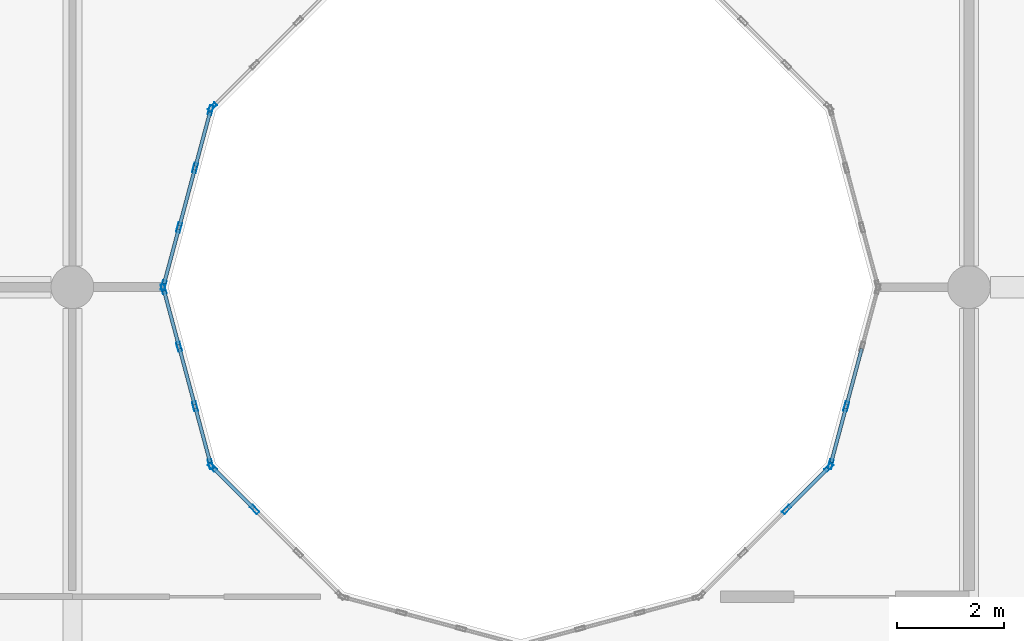
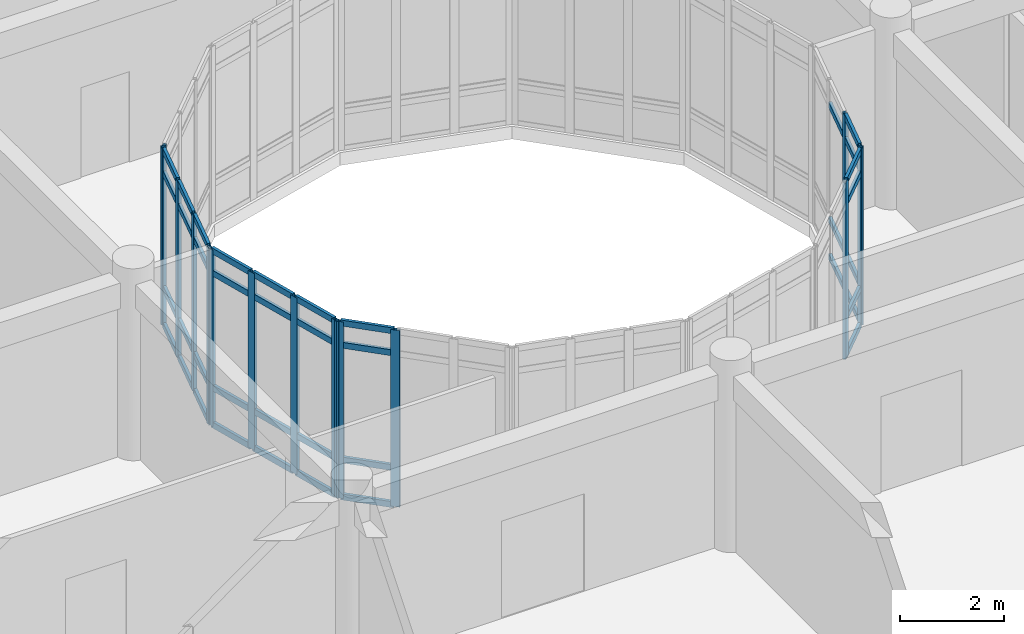
# One storey, part 34 of 144: 54 members, 6 elements without a shape of their own.
"""IFC4 building model written with IfcOpenShell, lengths in metres."""

from ifc_helpers import new_model, si_unit, direction, frame, origin, origin_2d, place, context, subcontext, project, spatial, hollow_rectangle, extrude, material, layer, layer_set, material_profile, profile_set, type_object, element, aggregate, save


model = new_model("IFC4")

# Units and contexts
model_context = context("Model", 3, precision=1e-05, world=origin(), true_north=direction((0.0, 1.0)))
body_context = subcontext(model_context, "Body", "Model", "MODEL_VIEW")
ifc_project = project(units=[si_unit("LENGTHUNIT", "METRE"), si_unit("AREAUNIT", "SQUARE_METRE"), si_unit("VOLUMEUNIT", "CUBIC_METRE"), si_unit("PLANEANGLEUNIT", "RADIAN"), si_unit("MASSUNIT", "GRAM", prefix="KILO")], contexts=[model_context])

# Site, building, storey
site_placement = place(None, origin())
site = spatial("IfcSite", under=ifc_project, at=site_placement, CompositionType="ELEMENT")
building_placement = place(site_placement, origin())
building = spatial("IfcBuilding", under=site, at=building_placement, Name="Bramfleet General Hospital", CompositionType="ELEMENT")
storey_placement = place(building_placement, frame((0.0, 0.0, 4.800048828125)))
storey = spatial("IfcBuildingStorey", under=building, at=storey_placement, Name="L01", CompositionType="ELEMENT", Elevation=4.800048828125)

# Curtain wall, members
ifc_material_1 = material(Name="Anodised aluminium and low-E triple glazing", Category="aluminium")
ifc_layer_1 = layer(ifc_material_1, 0.179931640625, Name="CWT-CW-17")
ifc_layer_set_1 = layer_set([ifc_layer_1], Name="Anodised aluminium and low-E triple glazing")
curtain_wall_type_1 = type_object("IfcCurtainWallType", Name="CWT-CW-17", PredefinedType="USERDEFINED", material=ifc_layer_set_1)
curtain_wall_1_placement = place(storey_placement, origin())
curtain_wall_1 = element("IfcCurtainWall", 1, at=curtain_wall_1_placement, inside=storey, type_object=curtain_wall_type_1, Name="L01 West Clinical Light Court Curtain Wall 1.1", ObjectType="Stick curtain wall", PredefinedType="USERDEFINED")
ifc_material_2 = material(Name="Anodised aluminium EN AW-6060", Category="aluminium")
ifc_material_profile_1 = material_profile(ifc_material_2, hollow_rectangle(XDim=0.070068359375, YDim=0.179931640625, WallThickness=0.00390625, at=origin_2d()), Name="ALU 180x70x4.0")
ifc_profile_set_1 = profile_set([ifc_material_profile_1], Name="Anodised aluminium EN AW-6060")
member_type_1 = type_object("IfcMemberType", Name="CWM-ALU180", PredefinedType="MULLION", material=ifc_profile_set_1)
member_1_placement = place(storey_placement, frame((18.509033203125, 83.96630859375, 0.0), z_axis=(0.0, 0.0, 1.0), x_axis=(0.965899136003, 0.25891863407, 0.0)))
member_1 = element("IfcMember", 2, at=member_1_placement, type_object=member_type_1, Name="CW-17 mullion 1", PredefinedType="MULLION", context=body_context, shape_type="SweptSolid", body=[
    extrude(hollow_rectangle(XDim=0.070068359375, YDim=0.179931640625, WallThickness=0.00390625, at=origin_2d()), origin(), (0.0, 0.0, 1.0), 4.139892578125),
])
member_2_placement = place(storey_placement, frame((18.79931640625, 82.88330078125, 0.0), z_axis=(0.0, 0.0, 1.0), x_axis=(0.965899136003, 0.25891863407, 0.0)))
member_2 = element("IfcMember", 3, at=member_2_placement, type_object=member_type_1, Name="CW-17 mullion 2", PredefinedType="MULLION", context=body_context, shape_type="SweptSolid", body=[
    extrude(hollow_rectangle(XDim=0.070068359375, YDim=0.179931640625, WallThickness=0.00390625, at=origin_2d()), origin(), (0.0, 0.0, 1.0), 4.139892578125),
])
member_3_placement = place(storey_placement, frame((19.0986328125, 81.7666015625, 0.0), z_axis=(0.0, 0.0, 1.0), x_axis=(0.965899136003, 0.25891863407, 0.0)))
member_3 = element("IfcMember", 4, at=member_3_placement, type_object=member_type_1, Name="CW-17 mullion 3", PredefinedType="MULLION", context=body_context, shape_type="SweptSolid", body=[
    extrude(hollow_rectangle(XDim=0.070068359375, YDim=0.179931640625, WallThickness=0.00390625, at=origin_2d()), origin(), (0.0, 0.0, 1.0), 4.139892578125),
])
member_4_placement = place(storey_placement, frame((19.388916015625, 80.683837890625, 0.0), z_axis=(0.0, 0.0, 1.0), x_axis=(0.965899136003, 0.25891863407, 0.0)))
member_4 = element("IfcMember", 5, at=member_4_placement, type_object=member_type_1, Name="CW-17 mullion 4", PredefinedType="MULLION", context=body_context, shape_type="SweptSolid", body=[
    extrude(hollow_rectangle(XDim=0.070068359375, YDim=0.179931640625, WallThickness=0.00390625, at=origin_2d()), origin(), (0.0, 0.0, 1.0), 4.139892578125),
])

ifc_layer_2 = layer(ifc_material_1, 0.179931640625, Name="CWT-CW-18")
ifc_layer_set_2 = layer_set([ifc_layer_2], Name="Anodised aluminium and low-E triple glazing")
curtain_wall_type_2 = type_object("IfcCurtainWallType", Name="CWT-CW-18", PredefinedType="USERDEFINED", material=ifc_layer_set_2)
curtain_wall_2_placement = place(storey_placement, origin())
curtain_wall_2 = element("IfcCurtainWall", 6, at=curtain_wall_2_placement, inside=storey, type_object=curtain_wall_type_2, Name="L01 West Clinical Light Court Curtain Wall 2.1", ObjectType="Stick curtain wall", PredefinedType="USERDEFINED")
member_5_placement = place(storey_placement, frame((19.4228515625, 80.625244140625, 0.0), z_axis=(0.0, 0.0, 1.0), x_axis=(0.707106781187, 0.707106781187, 0.0)))
member_5 = element("IfcMember", 7, at=member_5_placement, type_object=member_type_1, Name="CW-18 mullion 1", PredefinedType="MULLION", context=body_context, shape_type="SweptSolid", body=[
    extrude(hollow_rectangle(XDim=0.070068359375, YDim=0.179931640625, WallThickness=0.00390625, at=origin_2d()), origin(), (0.0, 0.0, 1.0), 4.139892578125),
])
member_6_placement = place(storey_placement, frame((20.21533203125, 79.832763671875, 0.0), z_axis=(0.0, 0.0, 1.0), x_axis=(0.707106781187, 0.707106781187, 0.0)))
member_6 = element("IfcMember", 8, at=member_6_placement, type_object=member_type_1, Name="CW-18 mullion 2", PredefinedType="MULLION", context=body_context, shape_type="SweptSolid", body=[
    extrude(hollow_rectangle(XDim=0.070068359375, YDim=0.179931640625, WallThickness=0.00390625, at=origin_2d()), origin(), (0.0, 0.0, 1.0), 4.139892578125),
])

ifc_layer_3 = layer(ifc_material_1, 0.179931640625, Name="CWT-CW-13")
ifc_layer_set_3 = layer_set([ifc_layer_3], Name="Anodised aluminium and low-E triple glazing")
curtain_wall_type_3 = type_object("IfcCurtainWallType", Name="CWT-CW-13", PredefinedType="USERDEFINED", material=ifc_layer_set_3)
curtain_wall_3_placement = place(storey_placement, origin())
curtain_wall_3 = element("IfcCurtainWall", 9, at=curtain_wall_3_placement, inside=storey, type_object=curtain_wall_type_3, Name="L01 West Clinical Light Court Curtain Wall 5.1", ObjectType="Stick curtain wall", PredefinedType="USERDEFINED")
member_7_placement = place(storey_placement, frame((30.1845703125, 79.832763671875, 0.0), z_axis=(0.0, 0.0, 1.0), x_axis=(-0.707106781187, 0.707106781187, 0.0)))
member_7 = element("IfcMember", 10, at=member_7_placement, type_object=member_type_1, Name="CW-13 mullion 3", PredefinedType="MULLION", context=body_context, shape_type="SweptSolid", body=[
    extrude(hollow_rectangle(XDim=0.070068359375, YDim=0.179931640625, WallThickness=0.00390625, at=origin_2d()), origin(), (0.0, 0.0, 1.0), 4.139892578125),
])
member_8_placement = place(storey_placement, frame((30.977294921875, 80.625244140625, 0.0), z_axis=(0.0, 0.0, 1.0), x_axis=(-0.707106781187, 0.707106781187, 0.0)))
member_8 = element("IfcMember", 11, at=member_8_placement, type_object=member_type_1, Name="CW-13 mullion 4", PredefinedType="MULLION", context=body_context, shape_type="SweptSolid", body=[
    extrude(hollow_rectangle(XDim=0.070068359375, YDim=0.179931640625, WallThickness=0.00390625, at=origin_2d()), origin(), (0.0, 0.0, 1.0), 4.139892578125),
])

ifc_layer_4 = layer(ifc_material_1, 0.179931640625, Name="CWT-CW-14")
ifc_layer_set_4 = layer_set([ifc_layer_4], Name="Anodised aluminium and low-E triple glazing")
curtain_wall_type_4 = type_object("IfcCurtainWallType", Name="CWT-CW-14", PredefinedType="USERDEFINED", material=ifc_layer_set_4)
curtain_wall_4_placement = place(storey_placement, origin())
curtain_wall_4 = element("IfcCurtainWall", 12, at=curtain_wall_4_placement, inside=storey, type_object=curtain_wall_type_4, Name="L01 West Clinical Light Court Curtain Wall 6.1", ObjectType="Stick curtain wall", PredefinedType="USERDEFINED")
member_9_placement = place(storey_placement, frame((31.010986328125, 80.683837890625, 0.0), z_axis=(0.0, 0.0, 1.0), x_axis=(-0.965899136003, 0.25891863407, 0.0)))
member_9 = element("IfcMember", 13, at=member_9_placement, type_object=member_type_1, Name="CW-14 mullion 1", PredefinedType="MULLION", context=body_context, shape_type="SweptSolid", body=[
    extrude(hollow_rectangle(XDim=0.070068359375, YDim=0.179931640625, WallThickness=0.00390625, at=origin_2d()), origin(), (0.0, 0.0, 1.0), 4.139892578125),
])
member_10_placement = place(storey_placement, frame((31.30126953125, 81.7666015625, 0.0), z_axis=(0.0, 0.0, 1.0), x_axis=(-0.965899136003, 0.25891863407, 0.0)))
member_10 = element("IfcMember", 14, at=member_10_placement, type_object=member_type_1, Name="CW-14 mullion 2", PredefinedType="MULLION", context=body_context, shape_type="SweptSolid", body=[
    extrude(hollow_rectangle(XDim=0.070068359375, YDim=0.179931640625, WallThickness=0.00390625, at=origin_2d()), origin(), (0.0, 0.0, 1.0), 4.139892578125),
])

# Curtain wall, member
ifc_layer_5 = layer(ifc_material_1, 0.179931640625, Name="CWT-CW-11")
ifc_layer_set_5 = layer_set([ifc_layer_5], Name="Anodised aluminium and low-E triple glazing")
curtain_wall_type_5 = type_object("IfcCurtainWallType", Name="CWT-CW-11", PredefinedType="USERDEFINED", material=ifc_layer_set_5)
curtain_wall_5_placement = place(storey_placement, origin())
curtain_wall_5 = element("IfcCurtainWall", 15, at=curtain_wall_5_placement, inside=storey, type_object=curtain_wall_type_5, Name="L01 West Clinical Light Court Curtain Wall 11.1", ObjectType="Stick curtain wall", PredefinedType="USERDEFINED")
member_11_placement = place(storey_placement, frame((19.4228515625, 87.374755859375, 0.0), z_axis=(0.0, 0.0, 1.0), x_axis=(0.707106781187, -0.707106781187, 0.0)))
member_11 = element("IfcMember", 16, at=member_11_placement, type_object=member_type_1, Name="CW-11 mullion 4", PredefinedType="MULLION", context=body_context, shape_type="SweptSolid", body=[
    extrude(hollow_rectangle(XDim=0.070068359375, YDim=0.179931640625, WallThickness=0.00390625, at=origin_2d()), origin(), (0.0, 0.0, 1.0), 4.139892578125),
])
aggregate(curtain_wall_5, [member_11])

# Curtain wall, members
ifc_layer_6 = layer(ifc_material_1, 0.179931640625, Name="CWT-CW-12")
ifc_layer_set_6 = layer_set([ifc_layer_6], Name="Anodised aluminium and low-E triple glazing")
curtain_wall_type_6 = type_object("IfcCurtainWallType", Name="CWT-CW-12", PredefinedType="USERDEFINED", material=ifc_layer_set_6)
curtain_wall_6_placement = place(storey_placement, origin())
curtain_wall_6 = element("IfcCurtainWall", 17, at=curtain_wall_6_placement, inside=storey, type_object=curtain_wall_type_6, Name="L01 West Clinical Light Court Curtain Wall 12.1", ObjectType="Stick curtain wall", PredefinedType="USERDEFINED")
member_12_placement = place(storey_placement, frame((19.388916015625, 87.316162109375, 0.0), z_axis=(0.0, 0.0, 1.0), x_axis=(0.965899136003, -0.25891863407, 0.0)))
member_12 = element("IfcMember", 18, at=member_12_placement, type_object=member_type_1, Name="CW-12 mullion 1", PredefinedType="MULLION", context=body_context, shape_type="SweptSolid", body=[
    extrude(hollow_rectangle(XDim=0.070068359375, YDim=0.179931640625, WallThickness=0.00390625, at=origin_2d()), origin(), (0.0, 0.0, 1.0), 4.139892578125),
])
member_13_placement = place(storey_placement, frame((19.0986328125, 86.2333984375, 0.0), z_axis=(0.0, 0.0, 1.0), x_axis=(0.965899136003, -0.25891863407, 0.0)))
member_13 = element("IfcMember", 19, at=member_13_placement, type_object=member_type_1, Name="CW-12 mullion 2", PredefinedType="MULLION", context=body_context, shape_type="SweptSolid", body=[
    extrude(hollow_rectangle(XDim=0.070068359375, YDim=0.179931640625, WallThickness=0.00390625, at=origin_2d()), origin(), (0.0, 0.0, 1.0), 4.139892578125),
])
member_14_placement = place(storey_placement, frame((18.79931640625, 85.11669921875, 0.0), z_axis=(0.0, 0.0, 1.0), x_axis=(0.965899136003, -0.25891863407, 0.0)))
member_14 = element("IfcMember", 20, at=member_14_placement, type_object=member_type_1, Name="CW-12 mullion 3", PredefinedType="MULLION", context=body_context, shape_type="SweptSolid", body=[
    extrude(hollow_rectangle(XDim=0.070068359375, YDim=0.179931640625, WallThickness=0.00390625, at=origin_2d()), origin(), (0.0, 0.0, 1.0), 4.139892578125),
])
member_15_placement = place(storey_placement, frame((18.509033203125, 84.03369140625, 0.0), z_axis=(0.0, 0.0, 1.0), x_axis=(0.965899136003, -0.25891863407, 0.0)))
member_15 = element("IfcMember", 21, at=member_15_placement, type_object=member_type_1, Name="CW-12 mullion 4", PredefinedType="MULLION", context=body_context, shape_type="SweptSolid", body=[
    extrude(hollow_rectangle(XDim=0.070068359375, YDim=0.179931640625, WallThickness=0.00390625, at=origin_2d()), origin(), (0.0, 0.0, 1.0), 4.139892578125),
])

# Member
ifc_material_profile_2 = material_profile(ifc_material_2, hollow_rectangle(XDim=0.06494140625, YDim=0.139892578125, WallThickness=0.00390625, at=origin_2d()), Name="ALU 140x65x4.0")
ifc_profile_set_2 = profile_set([ifc_material_profile_2], Name="Anodised aluminium EN AW-6060")
member_type_2 = type_object("IfcMemberType", Name="CWT-ALU140", PredefinedType="USERDEFINED", material=ifc_profile_set_2)
member_16_placement = place(storey_placement, frame((18.51806640625, 83.932373046875, 0.032470703125), z_axis=(0.259007003236, -0.965875443458, 0.0), x_axis=(0.965875443458, 0.259007003236, 0.0)))
member_16 = element("IfcMember", 22, at=member_16_placement, type_object=member_type_2, Name="CW-17 transom 1.1", ObjectType="TRANSOM", PredefinedType="USERDEFINED", context=body_context, shape_type="SweptSolid", body=[
    extrude(hollow_rectangle(XDim=0.06494140625, YDim=0.139892578125, WallThickness=0.00390625, at=origin_2d()), origin(), (0.0, 0.0, 1.0), 1.051025390625),
])

member_17_placement = place(storey_placement, frame((18.51806640625, 83.932373046875, 0.89990234375), z_axis=(0.259007003236, -0.965875443458, 0.0), x_axis=(0.965875443458, 0.259007003236, 0.0)))
member_17 = element("IfcMember", 23, at=member_17_placement, type_object=member_type_2, Name="CW-17 transom 1.2", ObjectType="TRANSOM", PredefinedType="USERDEFINED", context=body_context, shape_type="SweptSolid", body=[
    extrude(hollow_rectangle(XDim=0.06494140625, YDim=0.139892578125, WallThickness=0.00390625, at=origin_2d()), origin(), (0.0, 0.0, 1.0), 1.051025390625),
])

member_18_placement = place(storey_placement, frame((18.51806640625, 83.932373046875, 3.58984375), z_axis=(0.259007003236, -0.965875443458, 0.0), x_axis=(0.965875443458, 0.259007003236, 0.0)))
member_18 = element("IfcMember", 24, at=member_18_placement, type_object=member_type_2, Name="CW-17 transom 1.3", ObjectType="TRANSOM", PredefinedType="USERDEFINED", context=body_context, shape_type="SweptSolid", body=[
    extrude(hollow_rectangle(XDim=0.06494140625, YDim=0.139892578125, WallThickness=0.00390625, at=origin_2d()), origin(), (0.0, 0.0, 1.0), 1.051025390625),
])

member_19_placement = place(storey_placement, frame((18.51806640625, 83.932373046875, 4.107421875), z_axis=(0.259007003236, -0.965875443458, 0.0), x_axis=(0.965875443458, 0.259007003236, 0.0)))
member_19 = element("IfcMember", 25, at=member_19_placement, type_object=member_type_2, Name="CW-17 transom 1.4", ObjectType="TRANSOM", PredefinedType="USERDEFINED", context=body_context, shape_type="SweptSolid", body=[
    extrude(hollow_rectangle(XDim=0.06494140625, YDim=0.139892578125, WallThickness=0.00390625, at=origin_2d()), origin(), (0.0, 0.0, 1.0), 1.051025390625),
])

member_20_placement = place(storey_placement, frame((18.808349609375, 82.849609375, 0.032470703125), z_axis=(0.258949558843, -0.965890845787, 0.0), x_axis=(0.965890845787, 0.258949558843, 0.0)))
member_20 = element("IfcMember", 26, at=member_20_placement, type_object=member_type_2, Name="CW-17 transom 2.1", ObjectType="TRANSOM", PredefinedType="USERDEFINED", context=body_context, shape_type="SweptSolid", body=[
    extrude(hollow_rectangle(XDim=0.06494140625, YDim=0.139892578125, WallThickness=0.00390625, at=origin_2d()), origin(), (0.0, 0.0, 1.0), 1.086181640625),
])

member_21_placement = place(storey_placement, frame((18.808349609375, 82.849609375, 0.89990234375), z_axis=(0.258949558843, -0.965890845787, 0.0), x_axis=(0.965890845787, 0.258949558843, 0.0)))
member_21 = element("IfcMember", 27, at=member_21_placement, type_object=member_type_2, Name="CW-17 transom 2.2", ObjectType="TRANSOM", PredefinedType="USERDEFINED", context=body_context, shape_type="SweptSolid", body=[
    extrude(hollow_rectangle(XDim=0.06494140625, YDim=0.139892578125, WallThickness=0.00390625, at=origin_2d()), origin(), (0.0, 0.0, 1.0), 1.086181640625),
])

member_22_placement = place(storey_placement, frame((18.808349609375, 82.849609375, 3.58984375), z_axis=(0.258949558843, -0.965890845787, 0.0), x_axis=(0.965890845787, 0.258949558843, 0.0)))
member_22 = element("IfcMember", 28, at=member_22_placement, type_object=member_type_2, Name="CW-17 transom 2.3", ObjectType="TRANSOM", PredefinedType="USERDEFINED", context=body_context, shape_type="SweptSolid", body=[
    extrude(hollow_rectangle(XDim=0.06494140625, YDim=0.139892578125, WallThickness=0.00390625, at=origin_2d()), origin(), (0.0, 0.0, 1.0), 1.086181640625),
])

member_23_placement = place(storey_placement, frame((18.808349609375, 82.849609375, 4.107421875), z_axis=(0.258949558843, -0.965890845787, 0.0), x_axis=(0.965890845787, 0.258949558843, 0.0)))
member_23 = element("IfcMember", 29, at=member_23_placement, type_object=member_type_2, Name="CW-17 transom 2.4", ObjectType="TRANSOM", PredefinedType="USERDEFINED", context=body_context, shape_type="SweptSolid", body=[
    extrude(hollow_rectangle(XDim=0.06494140625, YDim=0.139892578125, WallThickness=0.00390625, at=origin_2d()), origin(), (0.0, 0.0, 1.0), 1.086181640625),
])

member_24_placement = place(storey_placement, frame((19.107666015625, 81.73291015625, 0.032470703125), z_axis=(0.258948903342, -0.965891021523, 0.0), x_axis=(0.965891021523, 0.258948903342, 0.0)))
member_24 = element("IfcMember", 30, at=member_24_placement, type_object=member_type_2, Name="CW-17 transom 3.1", ObjectType="TRANSOM", PredefinedType="USERDEFINED", context=body_context, shape_type="SweptSolid", body=[
    extrude(hollow_rectangle(XDim=0.06494140625, YDim=0.139892578125, WallThickness=0.00390625, at=origin_2d()), origin(), (0.0, 0.0, 1.0), 1.05126953125),
])

member_25_placement = place(storey_placement, frame((19.107666015625, 81.73291015625, 0.89990234375), z_axis=(0.258948903342, -0.965891021523, 0.0), x_axis=(0.965891021523, 0.258948903342, 0.0)))
member_25 = element("IfcMember", 31, at=member_25_placement, type_object=member_type_2, Name="CW-17 transom 3.2", ObjectType="TRANSOM", PredefinedType="USERDEFINED", context=body_context, shape_type="SweptSolid", body=[
    extrude(hollow_rectangle(XDim=0.06494140625, YDim=0.139892578125, WallThickness=0.00390625, at=origin_2d()), origin(), (0.0, 0.0, 1.0), 1.05126953125),
])

member_26_placement = place(storey_placement, frame((19.107666015625, 81.73291015625, 3.58984375), z_axis=(0.258948903342, -0.965891021523, 0.0), x_axis=(0.965891021523, 0.258948903342, 0.0)))
member_26 = element("IfcMember", 32, at=member_26_placement, type_object=member_type_2, Name="CW-17 transom 3.3", ObjectType="TRANSOM", PredefinedType="USERDEFINED", context=body_context, shape_type="SweptSolid", body=[
    extrude(hollow_rectangle(XDim=0.06494140625, YDim=0.139892578125, WallThickness=0.00390625, at=origin_2d()), origin(), (0.0, 0.0, 1.0), 1.05126953125),
])

member_27_placement = place(storey_placement, frame((19.107666015625, 81.73291015625, 4.107421875), z_axis=(0.258948903342, -0.965891021523, 0.0), x_axis=(0.965891021523, 0.258948903342, 0.0)))
member_27 = element("IfcMember", 33, at=member_27_placement, type_object=member_type_2, Name="CW-17 transom 3.4", ObjectType="TRANSOM", PredefinedType="USERDEFINED", context=body_context, shape_type="SweptSolid", body=[
    extrude(hollow_rectangle(XDim=0.06494140625, YDim=0.139892578125, WallThickness=0.00390625, at=origin_2d()), origin(), (0.0, 0.0, 1.0), 1.05126953125),
])

aggregate(curtain_wall_1, [member_1, member_2, member_3, member_4, member_16, member_17, member_18, member_19, member_20, member_21, member_22, member_23, member_24, member_25, member_26, member_27])

member_28_placement = place(storey_placement, frame((19.447509765625, 80.6005859375, 0.032470703125), z_axis=(0.707106781187, -0.707106781187, 0.0), x_axis=(0.707106781187, 0.707106781187, 0.0)))
member_28 = element("IfcMember", 34, at=member_28_placement, type_object=member_type_2, Name="CW-18 transom 1.1", ObjectType="TRANSOM", PredefinedType="USERDEFINED", context=body_context, shape_type="SweptSolid", body=[
    extrude(hollow_rectangle(XDim=0.06494140625, YDim=0.139892578125, WallThickness=0.00390625, at=origin_2d()), origin(), (0.0, 0.0, 1.0), 1.051025390625),
])

member_29_placement = place(storey_placement, frame((19.447509765625, 80.6005859375, 0.89990234375), z_axis=(0.707106781187, -0.707106781187, 0.0), x_axis=(0.707106781187, 0.707106781187, 0.0)))
member_29 = element("IfcMember", 35, at=member_29_placement, type_object=member_type_2, Name="CW-18 transom 1.2", ObjectType="TRANSOM", PredefinedType="USERDEFINED", context=body_context, shape_type="SweptSolid", body=[
    extrude(hollow_rectangle(XDim=0.06494140625, YDim=0.139892578125, WallThickness=0.00390625, at=origin_2d()), origin(), (0.0, 0.0, 1.0), 1.051025390625),
])

member_30_placement = place(storey_placement, frame((19.447509765625, 80.6005859375, 3.58984375), z_axis=(0.707106781187, -0.707106781187, 0.0), x_axis=(0.707106781187, 0.707106781187, 0.0)))
member_30 = element("IfcMember", 36, at=member_30_placement, type_object=member_type_2, Name="CW-18 transom 1.3", ObjectType="TRANSOM", PredefinedType="USERDEFINED", context=body_context, shape_type="SweptSolid", body=[
    extrude(hollow_rectangle(XDim=0.06494140625, YDim=0.139892578125, WallThickness=0.00390625, at=origin_2d()), origin(), (0.0, 0.0, 1.0), 1.051025390625),
])

member_31_placement = place(storey_placement, frame((19.447509765625, 80.6005859375, 4.107421875), z_axis=(0.707106781187, -0.707106781187, 0.0), x_axis=(0.707106781187, 0.707106781187, 0.0)))
member_31 = element("IfcMember", 37, at=member_31_placement, type_object=member_type_2, Name="CW-18 transom 1.4", ObjectType="TRANSOM", PredefinedType="USERDEFINED", context=body_context, shape_type="SweptSolid", body=[
    extrude(hollow_rectangle(XDim=0.06494140625, YDim=0.139892578125, WallThickness=0.00390625, at=origin_2d()), origin(), (0.0, 0.0, 1.0), 1.051025390625),
])

aggregate(curtain_wall_2, [member_5, member_6, member_28, member_29, member_30, member_31])

member_32_placement = place(storey_placement, frame((30.20947265625, 79.857421875, 0.032470703125), z_axis=(0.706990604933, 0.707222938356, 0.0), x_axis=(-0.707222938356, 0.706990604933, 0.0)))
member_32 = element("IfcMember", 38, at=member_32_placement, type_object=member_type_2, Name="CW-13 transom 3.1", ObjectType="TRANSOM", PredefinedType="USERDEFINED", context=body_context, shape_type="SweptSolid", body=[
    extrude(hollow_rectangle(XDim=0.06494140625, YDim=0.139892578125, WallThickness=0.00390625, at=origin_2d()), origin(), (0.0, 0.0, 1.0), 1.05078125),
])

member_33_placement = place(storey_placement, frame((30.20947265625, 79.857421875, 0.89990234375), z_axis=(0.706990604933, 0.707222938356, 0.0), x_axis=(-0.707222938356, 0.706990604933, 0.0)))
member_33 = element("IfcMember", 39, at=member_33_placement, type_object=member_type_2, Name="CW-13 transom 3.2", ObjectType="TRANSOM", PredefinedType="USERDEFINED", context=body_context, shape_type="SweptSolid", body=[
    extrude(hollow_rectangle(XDim=0.06494140625, YDim=0.139892578125, WallThickness=0.00390625, at=origin_2d()), origin(), (0.0, 0.0, 1.0), 1.05078125),
])

member_34_placement = place(storey_placement, frame((30.20947265625, 79.857421875, 3.58984375), z_axis=(0.706990604933, 0.707222938356, 0.0), x_axis=(-0.707222938356, 0.706990604933, 0.0)))
member_34 = element("IfcMember", 40, at=member_34_placement, type_object=member_type_2, Name="CW-13 transom 3.3", ObjectType="TRANSOM", PredefinedType="USERDEFINED", context=body_context, shape_type="SweptSolid", body=[
    extrude(hollow_rectangle(XDim=0.06494140625, YDim=0.139892578125, WallThickness=0.00390625, at=origin_2d()), origin(), (0.0, 0.0, 1.0), 1.05078125),
])

member_35_placement = place(storey_placement, frame((30.20947265625, 79.857421875, 4.107421875), z_axis=(0.706990604933, 0.707222938356, 0.0), x_axis=(-0.707222938356, 0.706990604933, 0.0)))
member_35 = element("IfcMember", 41, at=member_35_placement, type_object=member_type_2, Name="CW-13 transom 3.4", ObjectType="TRANSOM", PredefinedType="USERDEFINED", context=body_context, shape_type="SweptSolid", body=[
    extrude(hollow_rectangle(XDim=0.06494140625, YDim=0.139892578125, WallThickness=0.00390625, at=origin_2d()), origin(), (0.0, 0.0, 1.0), 1.05078125),
])

aggregate(curtain_wall_3, [member_7, member_8, member_32, member_33, member_34, member_35])

member_36_placement = place(storey_placement, frame((31.02001953125, 80.717529296875, 0.032470703125), z_axis=(0.258948903342, 0.965891021523, 0.0), x_axis=(-0.965891021523, 0.258948903342, 0.0)))
member_36 = element("IfcMember", 42, at=member_36_placement, type_object=member_type_2, Name="CW-14 transom 1.1", ObjectType="TRANSOM", PredefinedType="USERDEFINED", context=body_context, shape_type="SweptSolid", body=[
    extrude(hollow_rectangle(XDim=0.06494140625, YDim=0.139892578125, WallThickness=0.00390625, at=origin_2d()), origin(), (0.0, 0.0, 1.0), 1.05126953125),
])

member_37_placement = place(storey_placement, frame((31.02001953125, 80.717529296875, 0.89990234375), z_axis=(0.258948903342, 0.965891021523, 0.0), x_axis=(-0.965891021523, 0.258948903342, 0.0)))
member_37 = element("IfcMember", 43, at=member_37_placement, type_object=member_type_2, Name="CW-14 transom 1.2", ObjectType="TRANSOM", PredefinedType="USERDEFINED", context=body_context, shape_type="SweptSolid", body=[
    extrude(hollow_rectangle(XDim=0.06494140625, YDim=0.139892578125, WallThickness=0.00390625, at=origin_2d()), origin(), (0.0, 0.0, 1.0), 1.05126953125),
])

member_38_placement = place(storey_placement, frame((31.02001953125, 80.717529296875, 3.58984375), z_axis=(0.258948903342, 0.965891021523, 0.0), x_axis=(-0.965891021523, 0.258948903342, 0.0)))
member_38 = element("IfcMember", 44, at=member_38_placement, type_object=member_type_2, Name="CW-14 transom 1.3", ObjectType="TRANSOM", PredefinedType="USERDEFINED", context=body_context, shape_type="SweptSolid", body=[
    extrude(hollow_rectangle(XDim=0.06494140625, YDim=0.139892578125, WallThickness=0.00390625, at=origin_2d()), origin(), (0.0, 0.0, 1.0), 1.05126953125),
])

member_39_placement = place(storey_placement, frame((31.02001953125, 80.717529296875, 4.107421875), z_axis=(0.258948903342, 0.965891021523, 0.0), x_axis=(-0.965891021523, 0.258948903342, 0.0)))
member_39 = element("IfcMember", 45, at=member_39_placement, type_object=member_type_2, Name="CW-14 transom 1.4", ObjectType="TRANSOM", PredefinedType="USERDEFINED", context=body_context, shape_type="SweptSolid", body=[
    extrude(hollow_rectangle(XDim=0.06494140625, YDim=0.139892578125, WallThickness=0.00390625, at=origin_2d()), origin(), (0.0, 0.0, 1.0), 1.05126953125),
])

member_40_placement = place(storey_placement, frame((31.310302734375, 81.800537109375, 0.032470703125), z_axis=(0.258949558843, 0.965890845787, 0.0), x_axis=(-0.965890845787, 0.258949558843, 0.0)))
member_40 = element("IfcMember", 46, at=member_40_placement, type_object=member_type_2, Name="CW-14 transom 2.1", ObjectType="TRANSOM", PredefinedType="USERDEFINED", context=body_context, shape_type="SweptSolid", body=[
    extrude(hollow_rectangle(XDim=0.06494140625, YDim=0.139892578125, WallThickness=0.00390625, at=origin_2d()), origin(), (0.0, 0.0, 1.0), 1.086181640625),
])

member_41_placement = place(storey_placement, frame((31.310302734375, 81.800537109375, 0.89990234375), z_axis=(0.258949558843, 0.965890845787, 0.0), x_axis=(-0.965890845787, 0.258949558843, 0.0)))
member_41 = element("IfcMember", 47, at=member_41_placement, type_object=member_type_2, Name="CW-14 transom 2.2", ObjectType="TRANSOM", PredefinedType="USERDEFINED", context=body_context, shape_type="SweptSolid", body=[
    extrude(hollow_rectangle(XDim=0.06494140625, YDim=0.139892578125, WallThickness=0.00390625, at=origin_2d()), origin(), (0.0, 0.0, 1.0), 1.086181640625),
])

member_42_placement = place(storey_placement, frame((31.310302734375, 81.800537109375, 3.58984375), z_axis=(0.258949558843, 0.965890845787, 0.0), x_axis=(-0.965890845787, 0.258949558843, 0.0)))
member_42 = element("IfcMember", 48, at=member_42_placement, type_object=member_type_2, Name="CW-14 transom 2.3", ObjectType="TRANSOM", PredefinedType="USERDEFINED", context=body_context, shape_type="SweptSolid", body=[
    extrude(hollow_rectangle(XDim=0.06494140625, YDim=0.139892578125, WallThickness=0.00390625, at=origin_2d()), origin(), (0.0, 0.0, 1.0), 1.086181640625),
])

aggregate(curtain_wall_4, [member_9, member_10, member_36, member_37, member_38, member_39, member_40, member_41, member_42])

member_43_placement = place(storey_placement, frame((19.3798828125, 87.282470703125, 0.032470703125), z_axis=(-0.258948903342, -0.965891021523, 0.0), x_axis=(0.965891021523, -0.258948903342, 0.0)))
member_43 = element("IfcMember", 49, at=member_43_placement, type_object=member_type_2, Name="CW-12 transom 1.1", ObjectType="TRANSOM", PredefinedType="USERDEFINED", context=body_context, shape_type="SweptSolid", body=[
    extrude(hollow_rectangle(XDim=0.06494140625, YDim=0.139892578125, WallThickness=0.00390625, at=origin_2d()), origin(), (0.0, 0.0, 1.0), 1.05126953125),
])

member_44_placement = place(storey_placement, frame((19.3798828125, 87.282470703125, 0.89990234375), z_axis=(-0.258948903342, -0.965891021523, 0.0), x_axis=(0.965891021523, -0.258948903342, 0.0)))
member_44 = element("IfcMember", 50, at=member_44_placement, type_object=member_type_2, Name="CW-12 transom 1.2", ObjectType="TRANSOM", PredefinedType="USERDEFINED", context=body_context, shape_type="SweptSolid", body=[
    extrude(hollow_rectangle(XDim=0.06494140625, YDim=0.139892578125, WallThickness=0.00390625, at=origin_2d()), origin(), (0.0, 0.0, 1.0), 1.05126953125),
])

member_45_placement = place(storey_placement, frame((19.3798828125, 87.282470703125, 3.58984375), z_axis=(-0.258948903342, -0.965891021523, 0.0), x_axis=(0.965891021523, -0.258948903342, 0.0)))
member_45 = element("IfcMember", 51, at=member_45_placement, type_object=member_type_2, Name="CW-12 transom 1.3", ObjectType="TRANSOM", PredefinedType="USERDEFINED", context=body_context, shape_type="SweptSolid", body=[
    extrude(hollow_rectangle(XDim=0.06494140625, YDim=0.139892578125, WallThickness=0.00390625, at=origin_2d()), origin(), (0.0, 0.0, 1.0), 1.05126953125),
])

member_46_placement = place(storey_placement, frame((19.3798828125, 87.282470703125, 4.107421875), z_axis=(-0.258948903342, -0.965891021523, 0.0), x_axis=(0.965891021523, -0.258948903342, 0.0)))
member_46 = element("IfcMember", 52, at=member_46_placement, type_object=member_type_2, Name="CW-12 transom 1.4", ObjectType="TRANSOM", PredefinedType="USERDEFINED", context=body_context, shape_type="SweptSolid", body=[
    extrude(hollow_rectangle(XDim=0.06494140625, YDim=0.139892578125, WallThickness=0.00390625, at=origin_2d()), origin(), (0.0, 0.0, 1.0), 1.05126953125),
])

member_47_placement = place(storey_placement, frame((19.089599609375, 86.199462890625, 0.032470703125), z_axis=(-0.258949558843, -0.965890845787, 0.0), x_axis=(0.965890845787, -0.258949558843, 0.0)))
member_47 = element("IfcMember", 53, at=member_47_placement, type_object=member_type_2, Name="CW-12 transom 2.1", ObjectType="TRANSOM", PredefinedType="USERDEFINED", context=body_context, shape_type="SweptSolid", body=[
    extrude(hollow_rectangle(XDim=0.06494140625, YDim=0.139892578125, WallThickness=0.00390625, at=origin_2d()), origin(), (0.0, 0.0, 1.0), 1.086181640625),
])

member_48_placement = place(storey_placement, frame((19.089599609375, 86.199462890625, 0.89990234375), z_axis=(-0.258949558843, -0.965890845787, 0.0), x_axis=(0.965890845787, -0.258949558843, 0.0)))
member_48 = element("IfcMember", 54, at=member_48_placement, type_object=member_type_2, Name="CW-12 transom 2.2", ObjectType="TRANSOM", PredefinedType="USERDEFINED", context=body_context, shape_type="SweptSolid", body=[
    extrude(hollow_rectangle(XDim=0.06494140625, YDim=0.139892578125, WallThickness=0.00390625, at=origin_2d()), origin(), (0.0, 0.0, 1.0), 1.086181640625),
])

member_49_placement = place(storey_placement, frame((19.089599609375, 86.199462890625, 3.58984375), z_axis=(-0.258949558843, -0.965890845787, 0.0), x_axis=(0.965890845787, -0.258949558843, 0.0)))
member_49 = element("IfcMember", 55, at=member_49_placement, type_object=member_type_2, Name="CW-12 transom 2.3", ObjectType="TRANSOM", PredefinedType="USERDEFINED", context=body_context, shape_type="SweptSolid", body=[
    extrude(hollow_rectangle(XDim=0.06494140625, YDim=0.139892578125, WallThickness=0.00390625, at=origin_2d()), origin(), (0.0, 0.0, 1.0), 1.086181640625),
])

member_50_placement = place(storey_placement, frame((19.089599609375, 86.199462890625, 4.107421875), z_axis=(-0.258949558843, -0.965890845787, 0.0), x_axis=(0.965890845787, -0.258949558843, 0.0)))
member_50 = element("IfcMember", 56, at=member_50_placement, type_object=member_type_2, Name="CW-12 transom 2.4", ObjectType="TRANSOM", PredefinedType="USERDEFINED", context=body_context, shape_type="SweptSolid", body=[
    extrude(hollow_rectangle(XDim=0.06494140625, YDim=0.139892578125, WallThickness=0.00390625, at=origin_2d()), origin(), (0.0, 0.0, 1.0), 1.086181640625),
])

member_51_placement = place(storey_placement, frame((18.790283203125, 85.082763671875, 0.032470703125), z_axis=(-0.259007003236, -0.965875443458, 0.0), x_axis=(0.965875443458, -0.259007003236, 0.0)))
member_51 = element("IfcMember", 57, at=member_51_placement, type_object=member_type_2, Name="CW-12 transom 3.1", ObjectType="TRANSOM", PredefinedType="USERDEFINED", context=body_context, shape_type="SweptSolid", body=[
    extrude(hollow_rectangle(XDim=0.06494140625, YDim=0.139892578125, WallThickness=0.00390625, at=origin_2d()), origin(), (0.0, 0.0, 1.0), 1.051025390625),
])

member_52_placement = place(storey_placement, frame((18.790283203125, 85.082763671875, 0.89990234375), z_axis=(-0.259007003236, -0.965875443458, 0.0), x_axis=(0.965875443458, -0.259007003236, 0.0)))
member_52 = element("IfcMember", 58, at=member_52_placement, type_object=member_type_2, Name="CW-12 transom 3.2", ObjectType="TRANSOM", PredefinedType="USERDEFINED", context=body_context, shape_type="SweptSolid", body=[
    extrude(hollow_rectangle(XDim=0.06494140625, YDim=0.139892578125, WallThickness=0.00390625, at=origin_2d()), origin(), (0.0, 0.0, 1.0), 1.051025390625),
])

member_53_placement = place(storey_placement, frame((18.790283203125, 85.082763671875, 3.58984375), z_axis=(-0.259007003236, -0.965875443458, 0.0), x_axis=(0.965875443458, -0.259007003236, 0.0)))
member_53 = element("IfcMember", 59, at=member_53_placement, type_object=member_type_2, Name="CW-12 transom 3.3", ObjectType="TRANSOM", PredefinedType="USERDEFINED", context=body_context, shape_type="SweptSolid", body=[
    extrude(hollow_rectangle(XDim=0.06494140625, YDim=0.139892578125, WallThickness=0.00390625, at=origin_2d()), origin(), (0.0, 0.0, 1.0), 1.051025390625),
])

member_54_placement = place(storey_placement, frame((18.790283203125, 85.082763671875, 4.107421875), z_axis=(-0.259007003236, -0.965875443458, 0.0), x_axis=(0.965875443458, -0.259007003236, 0.0)))
member_54 = element("IfcMember", 60, at=member_54_placement, type_object=member_type_2, Name="CW-12 transom 3.4", ObjectType="TRANSOM", PredefinedType="USERDEFINED", context=body_context, shape_type="SweptSolid", body=[
    extrude(hollow_rectangle(XDim=0.06494140625, YDim=0.139892578125, WallThickness=0.00390625, at=origin_2d()), origin(), (0.0, 0.0, 1.0), 1.051025390625),
])

aggregate(curtain_wall_6, [member_12, member_13, member_14, member_15, member_43, member_44, member_45, member_46, member_47, member_48, member_49, member_50, member_51, member_52, member_53, member_54])

save(model, "model.ifc")
